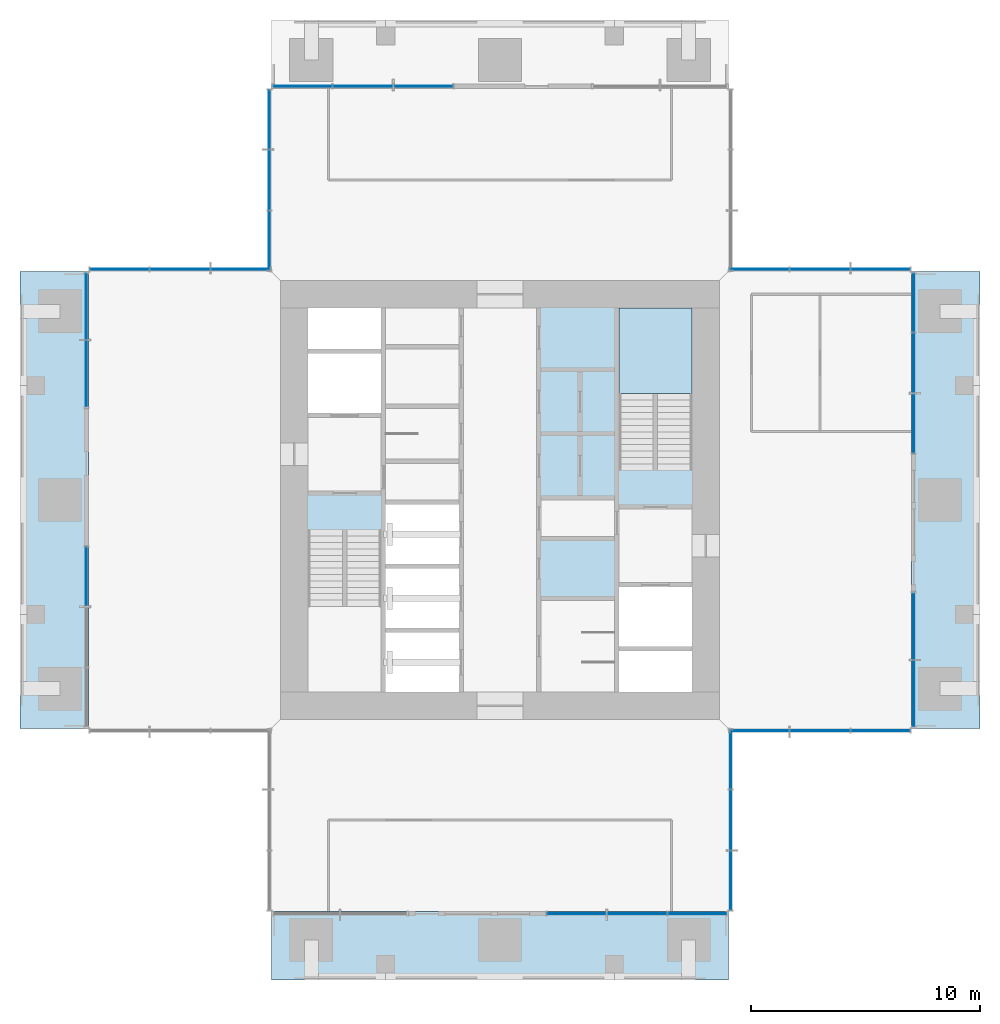
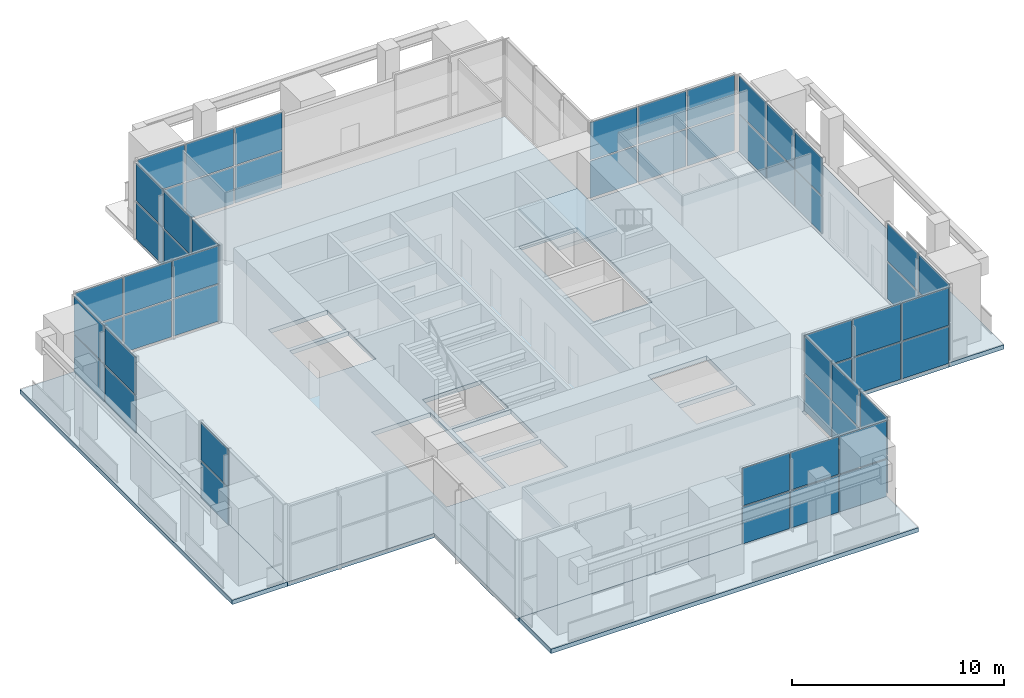
# One storey, part 6 of 11: 58 plates, 5 slabs, 12 elements without a shape of their own.
"""IFC4 building model written with IfcOpenShell, lengths in metres."""

from ifc_helpers import new_model, si_unit, direction, frame, origin, origin_2d, place, context, subcontext, project, spatial, polyline, rectangle, outline, extrude, material, layer, layer_set, type_object, element, aggregate, save


model = new_model("IFC4")

# Units and contexts
model_context = context("Model", 3, precision=1e-05, world=origin(), true_north=direction((0.0, 1.0)))
body_context = subcontext(model_context, "Body", "Model", "MODEL_VIEW")
ifc_project = project(units=[si_unit("LENGTHUNIT", "METRE"), si_unit("AREAUNIT", "SQUARE_METRE"), si_unit("VOLUMEUNIT", "CUBIC_METRE"), si_unit("PLANEANGLEUNIT", "RADIAN"), si_unit("MASSUNIT", "GRAM", prefix="KILO")], contexts=[model_context])

# Site, building, storey
site_placement = place(None, origin())
site = spatial("IfcSite", under=ifc_project, at=site_placement, CompositionType="ELEMENT")
building_placement = place(site_placement, origin())
building = spatial("IfcBuilding", under=site, at=building_placement, Name="Svetlomir Tower", CompositionType="ELEMENT")
storey_placement = place(building_placement, frame((0.0, 0.0, 273.39990234375)))
storey = spatial("IfcBuildingStorey", under=building, at=storey_placement, Name="L65", CompositionType="ELEMENT", Elevation=273.39990234375)

# Curtain wall, plates
ifc_material_1 = material(Name="Bronze anodised aluminium curtain wall", Category="aluminium")
curtain_wall_type = type_object("IfcCurtainWallType", Name="CURTAIN WALL CW4 EXECUTIVE", PredefinedType="NOTDEFINED", material=ifc_material_1)
curtain_wall_1_placement = place(storey_placement, origin())
curtain_wall_1 = element("IfcCurtainWall", 1, at=curtain_wall_1_placement, inside=storey, type_object=curtain_wall_type, Name="Curtain wall CW4 L65", PredefinedType="NOTDEFINED")
ifc_material_2 = material(Name="Tinted double glazed unit", Category="glass")
ifc_layer_1 = layer(ifc_material_2, 0.035888671875)
ifc_layer_set_1 = layer_set([ifc_layer_1], Name="Tinted double glazed unit")
plate_type = type_object("IfcPlateType", Name="CW4 GLAZED PANEL 36", PredefinedType="CURTAIN_PANEL", material=ifc_layer_set_1)
plate_1_placement = place(storey_placement, frame((24.35205078125, 2.89990234375, 0.0751953125), z_axis=(0.0, 0.0, 1.0), x_axis=(1.0, 0.0, 0.0)))
plate_1 = element("IfcPlate", 2, at=plate_1_placement, type_object=plate_type, Name="CW4 panel 1.1", PredefinedType="CURTAIN_PANEL", context=body_context, shape_type="SweptSolid", body=[
    extrude(rectangle(XDim=2.55419921875, YDim=0.035888671875, at=origin_2d()), origin(), (0.0, 0.0, 1.0), 2.11865234375),
])
plate_2_placement = place(storey_placement, frame((24.35205078125, 2.89990234375, 2.268798828125), z_axis=(0.0, 0.0, 1.0), x_axis=(1.0, 0.0, 0.0)))
plate_2 = element("IfcPlate", 3, at=plate_2_placement, type_object=plate_type, Name="CW4 panel 1.2", PredefinedType="CURTAIN_PANEL", context=body_context, shape_type="SweptSolid", body=[
    extrude(rectangle(XDim=2.55419921875, YDim=0.035888671875, at=origin_2d()), origin(), (0.0, 0.0, 1.0), 2.15625),
])
plate_3_placement = place(storey_placement, frame((27.0, 2.89990234375, 0.0751953125), z_axis=(0.0, 0.0, 1.0), x_axis=(1.0, 0.0, 0.0)))
plate_3 = element("IfcPlate", 4, at=plate_3_placement, type_object=plate_type, Name="CW4 panel 2.1", PredefinedType="CURTAIN_PANEL", context=body_context, shape_type="SweptSolid", body=[
    extrude(rectangle(XDim=2.591552734375, YDim=0.035888671875, at=origin_2d()), origin(), (0.0, 0.0, 1.0), 2.11865234375),
])
plate_4_placement = place(storey_placement, frame((27.0, 2.89990234375, 2.268798828125), z_axis=(0.0, 0.0, 1.0), x_axis=(1.0, 0.0, 0.0)))
plate_4 = element("IfcPlate", 5, at=plate_4_placement, type_object=plate_type, Name="CW4 panel 2.2", PredefinedType="CURTAIN_PANEL", context=body_context, shape_type="SweptSolid", body=[
    extrude(rectangle(XDim=2.591552734375, YDim=0.035888671875, at=origin_2d()), origin(), (0.0, 0.0, 1.0), 2.15625),
])
plate_5_placement = place(storey_placement, frame((29.64794921875, 2.89990234375, 0.0751953125), z_axis=(0.0, 0.0, 1.0), x_axis=(1.0, 0.0, 0.0)))
plate_5 = element("IfcPlate", 6, at=plate_5_placement, type_object=plate_type, Name="CW4 panel 3.1", PredefinedType="CURTAIN_PANEL", context=body_context, shape_type="SweptSolid", body=[
    extrude(rectangle(XDim=2.55419921875, YDim=0.035888671875, at=origin_2d()), origin(), (0.0, 0.0, 1.0), 2.11865234375),
])
plate_6_placement = place(storey_placement, frame((29.64794921875, 2.89990234375, 2.268798828125), z_axis=(0.0, 0.0, 1.0), x_axis=(1.0, 0.0, 0.0)))
plate_6 = element("IfcPlate", 7, at=plate_6_placement, type_object=plate_type, Name="CW4 panel 3.2", PredefinedType="CURTAIN_PANEL", context=body_context, shape_type="SweptSolid", body=[
    extrude(rectangle(XDim=2.55419921875, YDim=0.035888671875, at=origin_2d()), origin(), (0.0, 0.0, 1.0), 2.15625),
])
aggregate(curtain_wall_1, [plate_1, plate_2, plate_3, plate_4, plate_5, plate_6])

curtain_wall_2_placement = place(storey_placement, origin())
curtain_wall_2 = element("IfcCurtainWall", 8, at=curtain_wall_2_placement, inside=storey, type_object=curtain_wall_type, Name="Curtain wall CW4 L65", PredefinedType="NOTDEFINED")
plate_7_placement = place(storey_placement, frame((31.10009765625, 4.35205078125, 0.0751953125), z_axis=(0.0, 0.0, 1.0), x_axis=(0.0, 1.0, 0.0)))
plate_7 = element("IfcPlate", 9, at=plate_7_placement, type_object=plate_type, Name="CW4 panel 1.1", PredefinedType="CURTAIN_PANEL", context=body_context, shape_type="SweptSolid", body=[
    extrude(rectangle(XDim=2.55419921875, YDim=0.035888671875, at=origin_2d()), origin(), (0.0, 0.0, 1.0), 2.11865234375),
])
plate_8_placement = place(storey_placement, frame((31.10009765625, 4.35205078125, 2.268798828125), z_axis=(0.0, 0.0, 1.0), x_axis=(0.0, 1.0, 0.0)))
plate_8 = element("IfcPlate", 10, at=plate_8_placement, type_object=plate_type, Name="CW4 panel 1.2", PredefinedType="CURTAIN_PANEL", context=body_context, shape_type="SweptSolid", body=[
    extrude(rectangle(XDim=2.55419921875, YDim=0.035888671875, at=origin_2d()), origin(), (0.0, 0.0, 1.0), 2.15625),
])
plate_9_placement = place(storey_placement, frame((31.10009765625, 7.0, 0.0751953125), z_axis=(0.0, 0.0, 1.0), x_axis=(0.0, 1.0, 0.0)))
plate_9 = element("IfcPlate", 11, at=plate_9_placement, type_object=plate_type, Name="CW4 panel 2.1", PredefinedType="CURTAIN_PANEL", context=body_context, shape_type="SweptSolid", body=[
    extrude(rectangle(XDim=2.591552734375, YDim=0.035888671875, at=origin_2d()), origin(), (0.0, 0.0, 1.0), 2.11865234375),
])
plate_10_placement = place(storey_placement, frame((31.10009765625, 7.0, 2.268798828125), z_axis=(0.0, 0.0, 1.0), x_axis=(0.0, 1.0, 0.0)))
plate_10 = element("IfcPlate", 12, at=plate_10_placement, type_object=plate_type, Name="CW4 panel 2.2", PredefinedType="CURTAIN_PANEL", context=body_context, shape_type="SweptSolid", body=[
    extrude(rectangle(XDim=2.591552734375, YDim=0.035888671875, at=origin_2d()), origin(), (0.0, 0.0, 1.0), 2.15625),
])
plate_11_placement = place(storey_placement, frame((31.10009765625, 9.64794921875, 0.0751953125), z_axis=(0.0, 0.0, 1.0), x_axis=(0.0, 1.0, 0.0)))
plate_11 = element("IfcPlate", 13, at=plate_11_placement, type_object=plate_type, Name="CW4 panel 3.1", PredefinedType="CURTAIN_PANEL", context=body_context, shape_type="SweptSolid", body=[
    extrude(rectangle(XDim=2.55419921875, YDim=0.035888671875, at=origin_2d()), origin(), (0.0, 0.0, 1.0), 2.11865234375),
])
plate_12_placement = place(storey_placement, frame((31.10009765625, 9.64794921875, 2.268798828125), z_axis=(0.0, 0.0, 1.0), x_axis=(0.0, 1.0, 0.0)))
plate_12 = element("IfcPlate", 14, at=plate_12_placement, type_object=plate_type, Name="CW4 panel 3.2", PredefinedType="CURTAIN_PANEL", context=body_context, shape_type="SweptSolid", body=[
    extrude(rectangle(XDim=2.55419921875, YDim=0.035888671875, at=origin_2d()), origin(), (0.0, 0.0, 1.0), 2.15625),
])
aggregate(curtain_wall_2, [plate_7, plate_8, plate_9, plate_10, plate_11, plate_12])

curtain_wall_3_placement = place(storey_placement, origin())
curtain_wall_3 = element("IfcCurtainWall", 15, at=curtain_wall_3_placement, inside=storey, type_object=curtain_wall_type, Name="Curtain wall CW4 L65", PredefinedType="NOTDEFINED")
plate_13_placement = place(storey_placement, frame((32.35205078125, 10.89990234375, 0.0751953125), z_axis=(0.0, 0.0, 1.0), x_axis=(1.0, 0.0, 0.0)))
plate_13 = element("IfcPlate", 16, at=plate_13_placement, type_object=plate_type, Name="CW4 panel 1.1", PredefinedType="CURTAIN_PANEL", context=body_context, shape_type="SweptSolid", body=[
    extrude(rectangle(XDim=2.55419921875, YDim=0.035888671875, at=origin_2d()), origin(), (0.0, 0.0, 1.0), 2.11865234375),
])
plate_14_placement = place(storey_placement, frame((32.35205078125, 10.89990234375, 2.268798828125), z_axis=(0.0, 0.0, 1.0), x_axis=(1.0, 0.0, 0.0)))
plate_14 = element("IfcPlate", 17, at=plate_14_placement, type_object=plate_type, Name="CW4 panel 1.2", PredefinedType="CURTAIN_PANEL", context=body_context, shape_type="SweptSolid", body=[
    extrude(rectangle(XDim=2.55419921875, YDim=0.035888671875, at=origin_2d()), origin(), (0.0, 0.0, 1.0), 2.15625),
])
plate_15_placement = place(storey_placement, frame((35.0, 10.89990234375, 0.0751953125), z_axis=(0.0, 0.0, 1.0), x_axis=(1.0, 0.0, 0.0)))
plate_15 = element("IfcPlate", 18, at=plate_15_placement, type_object=plate_type, Name="CW4 panel 2.1", PredefinedType="CURTAIN_PANEL", context=body_context, shape_type="SweptSolid", body=[
    extrude(rectangle(XDim=2.591552734375, YDim=0.035888671875, at=origin_2d()), origin(), (0.0, 0.0, 1.0), 2.11865234375),
])
plate_16_placement = place(storey_placement, frame((35.0, 10.89990234375, 2.268798828125), z_axis=(0.0, 0.0, 1.0), x_axis=(1.0, 0.0, 0.0)))
plate_16 = element("IfcPlate", 19, at=plate_16_placement, type_object=plate_type, Name="CW4 panel 2.2", PredefinedType="CURTAIN_PANEL", context=body_context, shape_type="SweptSolid", body=[
    extrude(rectangle(XDim=2.591552734375, YDim=0.035888671875, at=origin_2d()), origin(), (0.0, 0.0, 1.0), 2.15625),
])
plate_17_placement = place(storey_placement, frame((37.64794921875, 10.89990234375, 0.0751953125), z_axis=(0.0, 0.0, 1.0), x_axis=(1.0, 0.0, 0.0)))
plate_17 = element("IfcPlate", 20, at=plate_17_placement, type_object=plate_type, Name="CW4 panel 3.1", PredefinedType="CURTAIN_PANEL", context=body_context, shape_type="SweptSolid", body=[
    extrude(rectangle(XDim=2.55419921875, YDim=0.035888671875, at=origin_2d()), origin(), (0.0, 0.0, 1.0), 2.11865234375),
])
plate_18_placement = place(storey_placement, frame((37.64794921875, 10.89990234375, 2.268798828125), z_axis=(0.0, 0.0, 1.0), x_axis=(1.0, 0.0, 0.0)))
plate_18 = element("IfcPlate", 21, at=plate_18_placement, type_object=plate_type, Name="CW4 panel 3.2", PredefinedType="CURTAIN_PANEL", context=body_context, shape_type="SweptSolid", body=[
    extrude(rectangle(XDim=2.55419921875, YDim=0.035888671875, at=origin_2d()), origin(), (0.0, 0.0, 1.0), 2.15625),
])
aggregate(curtain_wall_3, [plate_13, plate_14, plate_15, plate_16, plate_17, plate_18])

curtain_wall_4_placement = place(storey_placement, origin())
curtain_wall_4 = element("IfcCurtainWall", 22, at=curtain_wall_4_placement, inside=storey, type_object=curtain_wall_type, Name="Curtain wall CW4 L65", PredefinedType="NOTDEFINED")
plate_19_placement = place(storey_placement, frame((39.10009765625, 12.518798828125, 0.0751953125), z_axis=(0.0, 0.0, 1.0), x_axis=(0.0, 1.0, 0.0)))
plate_19 = element("IfcPlate", 23, at=plate_19_placement, type_object=plate_type, Name="CW4 panel 1.1", PredefinedType="CURTAIN_PANEL", context=body_context, shape_type="SweptSolid", body=[
    extrude(rectangle(XDim=2.887451171875, YDim=0.035888671875, at=origin_2d()), origin(), (0.0, 0.0, 1.0), 2.11865234375),
])
plate_20_placement = place(storey_placement, frame((39.10009765625, 12.518798828125, 2.268798828125), z_axis=(0.0, 0.0, 1.0), x_axis=(0.0, 1.0, 0.0)))
plate_20 = element("IfcPlate", 24, at=plate_20_placement, type_object=plate_type, Name="CW4 panel 1.2", PredefinedType="CURTAIN_PANEL", context=body_context, shape_type="SweptSolid", body=[
    extrude(rectangle(XDim=2.887451171875, YDim=0.035888671875, at=origin_2d()), origin(), (0.0, 0.0, 1.0), 2.15625),
])
plate_21_placement = place(storey_placement, frame((39.10009765625, 15.481201171875, 0.0751953125), z_axis=(0.0, 0.0, 1.0), x_axis=(0.0, 1.0, 0.0)))
plate_21 = element("IfcPlate", 25, at=plate_21_placement, type_object=plate_type, Name="CW4 panel 2.1", PredefinedType="CURTAIN_PANEL", context=body_context, shape_type="SweptSolid", body=[
    extrude(rectangle(XDim=2.887451171875, YDim=0.035888671875, at=origin_2d()), origin(), (0.0, 0.0, 1.0), 2.11865234375),
])
plate_22_placement = place(storey_placement, frame((39.10009765625, 15.481201171875, 2.268798828125), z_axis=(0.0, 0.0, 1.0), x_axis=(0.0, 1.0, 0.0)))
plate_22 = element("IfcPlate", 26, at=plate_22_placement, type_object=plate_type, Name="CW4 panel 2.2", PredefinedType="CURTAIN_PANEL", context=body_context, shape_type="SweptSolid", body=[
    extrude(rectangle(XDim=2.887451171875, YDim=0.035888671875, at=origin_2d()), origin(), (0.0, 0.0, 1.0), 2.15625),
])
aggregate(curtain_wall_4, [plate_19, plate_20, plate_21, plate_22])

curtain_wall_5_placement = place(storey_placement, origin())
curtain_wall_5 = element("IfcCurtainWall", 27, at=curtain_wall_5_placement, inside=storey, type_object=curtain_wall_type, Name="Curtain wall CW4 L65", PredefinedType="NOTDEFINED")
plate_23_placement = place(storey_placement, frame((39.10009765625, 24.35205078125, 0.0751953125), z_axis=(0.0, 0.0, 1.0), x_axis=(0.0, 1.0, 0.0)))
plate_23 = element("IfcPlate", 28, at=plate_23_placement, type_object=plate_type, Name="CW4 panel 1.1", PredefinedType="CURTAIN_PANEL", context=body_context, shape_type="SweptSolid", body=[
    extrude(rectangle(XDim=2.55419921875, YDim=0.035888671875, at=origin_2d()), origin(), (0.0, 0.0, 1.0), 2.11865234375),
])
plate_24_placement = place(storey_placement, frame((39.10009765625, 24.35205078125, 2.268798828125), z_axis=(0.0, 0.0, 1.0), x_axis=(0.0, 1.0, 0.0)))
plate_24 = element("IfcPlate", 29, at=plate_24_placement, type_object=plate_type, Name="CW4 panel 1.2", PredefinedType="CURTAIN_PANEL", context=body_context, shape_type="SweptSolid", body=[
    extrude(rectangle(XDim=2.55419921875, YDim=0.035888671875, at=origin_2d()), origin(), (0.0, 0.0, 1.0), 2.15625),
])
plate_25_placement = place(storey_placement, frame((39.10009765625, 27.0, 0.0751953125), z_axis=(0.0, 0.0, 1.0), x_axis=(0.0, 1.0, 0.0)))
plate_25 = element("IfcPlate", 30, at=plate_25_placement, type_object=plate_type, Name="CW4 panel 2.1", PredefinedType="CURTAIN_PANEL", context=body_context, shape_type="SweptSolid", body=[
    extrude(rectangle(XDim=2.591552734375, YDim=0.035888671875, at=origin_2d()), origin(), (0.0, 0.0, 1.0), 2.11865234375),
])
plate_26_placement = place(storey_placement, frame((39.10009765625, 27.0, 2.268798828125), z_axis=(0.0, 0.0, 1.0), x_axis=(0.0, 1.0, 0.0)))
plate_26 = element("IfcPlate", 31, at=plate_26_placement, type_object=plate_type, Name="CW4 panel 2.2", PredefinedType="CURTAIN_PANEL", context=body_context, shape_type="SweptSolid", body=[
    extrude(rectangle(XDim=2.591552734375, YDim=0.035888671875, at=origin_2d()), origin(), (0.0, 0.0, 1.0), 2.15625),
])
plate_27_placement = place(storey_placement, frame((39.10009765625, 29.64794921875, 0.0751953125), z_axis=(0.0, 0.0, 1.0), x_axis=(0.0, 1.0, 0.0)))
plate_27 = element("IfcPlate", 32, at=plate_27_placement, type_object=plate_type, Name="CW4 panel 3.1", PredefinedType="CURTAIN_PANEL", context=body_context, shape_type="SweptSolid", body=[
    extrude(rectangle(XDim=2.55419921875, YDim=0.035888671875, at=origin_2d()), origin(), (0.0, 0.0, 1.0), 2.11865234375),
])
plate_28_placement = place(storey_placement, frame((39.10009765625, 29.64794921875, 2.268798828125), z_axis=(0.0, 0.0, 1.0), x_axis=(0.0, 1.0, 0.0)))
plate_28 = element("IfcPlate", 33, at=plate_28_placement, type_object=plate_type, Name="CW4 panel 3.2", PredefinedType="CURTAIN_PANEL", context=body_context, shape_type="SweptSolid", body=[
    extrude(rectangle(XDim=2.55419921875, YDim=0.035888671875, at=origin_2d()), origin(), (0.0, 0.0, 1.0), 2.15625),
])
aggregate(curtain_wall_5, [plate_23, plate_24, plate_25, plate_26, plate_27, plate_28])

curtain_wall_6_placement = place(storey_placement, origin())
curtain_wall_6 = element("IfcCurtainWall", 34, at=curtain_wall_6_placement, inside=storey, type_object=curtain_wall_type, Name="Curtain wall CW4 L65", PredefinedType="NOTDEFINED")
plate_29_placement = place(storey_placement, frame((37.64794921875, 31.10009765625, 0.0751953125), z_axis=(0.0, 0.0, 1.0), x_axis=(-1.0, 0.0, 0.0)))
plate_29 = element("IfcPlate", 35, at=plate_29_placement, type_object=plate_type, Name="CW4 panel 1.1", PredefinedType="CURTAIN_PANEL", context=body_context, shape_type="SweptSolid", body=[
    extrude(rectangle(XDim=2.55419921875, YDim=0.035888671875, at=origin_2d()), origin(), (0.0, 0.0, 1.0), 2.11865234375),
])
plate_30_placement = place(storey_placement, frame((37.64794921875, 31.10009765625, 2.268798828125), z_axis=(0.0, 0.0, 1.0), x_axis=(-1.0, 0.0, 0.0)))
plate_30 = element("IfcPlate", 36, at=plate_30_placement, type_object=plate_type, Name="CW4 panel 1.2", PredefinedType="CURTAIN_PANEL", context=body_context, shape_type="SweptSolid", body=[
    extrude(rectangle(XDim=2.55419921875, YDim=0.035888671875, at=origin_2d()), origin(), (0.0, 0.0, 1.0), 2.15625),
])
plate_31_placement = place(storey_placement, frame((35.0, 31.10009765625, 0.0751953125), z_axis=(0.0, 0.0, 1.0), x_axis=(-1.0, 0.0, 0.0)))
plate_31 = element("IfcPlate", 37, at=plate_31_placement, type_object=plate_type, Name="CW4 panel 2.1", PredefinedType="CURTAIN_PANEL", context=body_context, shape_type="SweptSolid", body=[
    extrude(rectangle(XDim=2.591552734375, YDim=0.035888671875, at=origin_2d()), origin(), (0.0, 0.0, 1.0), 2.11865234375),
])
plate_32_placement = place(storey_placement, frame((35.0, 31.10009765625, 2.268798828125), z_axis=(0.0, 0.0, 1.0), x_axis=(-1.0, 0.0, 0.0)))
plate_32 = element("IfcPlate", 38, at=plate_32_placement, type_object=plate_type, Name="CW4 panel 2.2", PredefinedType="CURTAIN_PANEL", context=body_context, shape_type="SweptSolid", body=[
    extrude(rectangle(XDim=2.591552734375, YDim=0.035888671875, at=origin_2d()), origin(), (0.0, 0.0, 1.0), 2.15625),
])
plate_33_placement = place(storey_placement, frame((32.35205078125, 31.10009765625, 0.0751953125), z_axis=(0.0, 0.0, 1.0), x_axis=(-1.0, 0.0, 0.0)))
plate_33 = element("IfcPlate", 39, at=plate_33_placement, type_object=plate_type, Name="CW4 panel 3.1", PredefinedType="CURTAIN_PANEL", context=body_context, shape_type="SweptSolid", body=[
    extrude(rectangle(XDim=2.55419921875, YDim=0.035888671875, at=origin_2d()), origin(), (0.0, 0.0, 1.0), 2.11865234375),
])
plate_34_placement = place(storey_placement, frame((32.35205078125, 31.10009765625, 2.268798828125), z_axis=(0.0, 0.0, 1.0), x_axis=(-1.0, 0.0, 0.0)))
plate_34 = element("IfcPlate", 40, at=plate_34_placement, type_object=plate_type, Name="CW4 panel 3.2", PredefinedType="CURTAIN_PANEL", context=body_context, shape_type="SweptSolid", body=[
    extrude(rectangle(XDim=2.55419921875, YDim=0.035888671875, at=origin_2d()), origin(), (0.0, 0.0, 1.0), 2.15625),
])
aggregate(curtain_wall_6, [plate_29, plate_30, plate_31, plate_32, plate_33, plate_34])

curtain_wall_7_placement = place(storey_placement, origin())
curtain_wall_7 = element("IfcCurtainWall", 41, at=curtain_wall_7_placement, inside=storey, type_object=curtain_wall_type, Name="Curtain wall CW4 L65", PredefinedType="NOTDEFINED")
plate_35_placement = place(storey_placement, frame((17.64794921875, 39.10009765625, 0.0751953125), z_axis=(0.0, 0.0, 1.0), x_axis=(-1.0, 0.0, 0.0)))
plate_35 = element("IfcPlate", 42, at=plate_35_placement, type_object=plate_type, Name="CW4 panel 1.1", PredefinedType="CURTAIN_PANEL", context=body_context, shape_type="SweptSolid", body=[
    extrude(rectangle(XDim=2.55419921875, YDim=0.035888671875, at=origin_2d()), origin(), (0.0, 0.0, 1.0), 2.11865234375),
])
plate_36_placement = place(storey_placement, frame((17.64794921875, 39.10009765625, 2.268798828125), z_axis=(0.0, 0.0, 1.0), x_axis=(-1.0, 0.0, 0.0)))
plate_36 = element("IfcPlate", 43, at=plate_36_placement, type_object=plate_type, Name="CW4 panel 1.2", PredefinedType="CURTAIN_PANEL", context=body_context, shape_type="SweptSolid", body=[
    extrude(rectangle(XDim=2.55419921875, YDim=0.035888671875, at=origin_2d()), origin(), (0.0, 0.0, 1.0), 2.15625),
])
plate_37_placement = place(storey_placement, frame((15.0, 39.10009765625, 0.0751953125), z_axis=(0.0, 0.0, 1.0), x_axis=(-1.0, 0.0, 0.0)))
plate_37 = element("IfcPlate", 44, at=plate_37_placement, type_object=plate_type, Name="CW4 panel 2.1", PredefinedType="CURTAIN_PANEL", context=body_context, shape_type="SweptSolid", body=[
    extrude(rectangle(XDim=2.591552734375, YDim=0.035888671875, at=origin_2d()), origin(), (0.0, 0.0, 1.0), 2.11865234375),
])
plate_38_placement = place(storey_placement, frame((15.0, 39.10009765625, 2.268798828125), z_axis=(0.0, 0.0, 1.0), x_axis=(-1.0, 0.0, 0.0)))
plate_38 = element("IfcPlate", 45, at=plate_38_placement, type_object=plate_type, Name="CW4 panel 2.2", PredefinedType="CURTAIN_PANEL", context=body_context, shape_type="SweptSolid", body=[
    extrude(rectangle(XDim=2.591552734375, YDim=0.035888671875, at=origin_2d()), origin(), (0.0, 0.0, 1.0), 2.15625),
])
plate_39_placement = place(storey_placement, frame((12.35205078125, 39.10009765625, 0.0751953125), z_axis=(0.0, 0.0, 1.0), x_axis=(-1.0, 0.0, 0.0)))
plate_39 = element("IfcPlate", 46, at=plate_39_placement, type_object=plate_type, Name="CW4 panel 3.1", PredefinedType="CURTAIN_PANEL", context=body_context, shape_type="SweptSolid", body=[
    extrude(rectangle(XDim=2.55419921875, YDim=0.035888671875, at=origin_2d()), origin(), (0.0, 0.0, 1.0), 2.11865234375),
])
plate_40_placement = place(storey_placement, frame((12.35205078125, 39.10009765625, 2.268798828125), z_axis=(0.0, 0.0, 1.0), x_axis=(-1.0, 0.0, 0.0)))
plate_40 = element("IfcPlate", 47, at=plate_40_placement, type_object=plate_type, Name="CW4 panel 3.2", PredefinedType="CURTAIN_PANEL", context=body_context, shape_type="SweptSolid", body=[
    extrude(rectangle(XDim=2.55419921875, YDim=0.035888671875, at=origin_2d()), origin(), (0.0, 0.0, 1.0), 2.15625),
])
aggregate(curtain_wall_7, [plate_35, plate_36, plate_37, plate_38, plate_39, plate_40])

curtain_wall_8_placement = place(storey_placement, origin())
curtain_wall_8 = element("IfcCurtainWall", 48, at=curtain_wall_8_placement, inside=storey, type_object=curtain_wall_type, Name="Curtain wall CW4 L65", PredefinedType="NOTDEFINED")
plate_41_placement = place(storey_placement, frame((10.89990234375, 37.64794921875, 0.0751953125), z_axis=(0.0, 0.0, 1.0), x_axis=(0.0, -1.0, 0.0)))
plate_41 = element("IfcPlate", 49, at=plate_41_placement, type_object=plate_type, Name="CW4 panel 1.1", PredefinedType="CURTAIN_PANEL", context=body_context, shape_type="SweptSolid", body=[
    extrude(rectangle(XDim=2.55419921875, YDim=0.035888671875, at=origin_2d()), origin(), (0.0, 0.0, 1.0), 2.11865234375),
])
plate_42_placement = place(storey_placement, frame((10.89990234375, 37.64794921875, 2.268798828125), z_axis=(0.0, 0.0, 1.0), x_axis=(0.0, -1.0, 0.0)))
plate_42 = element("IfcPlate", 50, at=plate_42_placement, type_object=plate_type, Name="CW4 panel 1.2", PredefinedType="CURTAIN_PANEL", context=body_context, shape_type="SweptSolid", body=[
    extrude(rectangle(XDim=2.55419921875, YDim=0.035888671875, at=origin_2d()), origin(), (0.0, 0.0, 1.0), 2.15625),
])
plate_43_placement = place(storey_placement, frame((10.89990234375, 35.0, 0.0751953125), z_axis=(0.0, 0.0, 1.0), x_axis=(0.0, -1.0, 0.0)))
plate_43 = element("IfcPlate", 51, at=plate_43_placement, type_object=plate_type, Name="CW4 panel 2.1", PredefinedType="CURTAIN_PANEL", context=body_context, shape_type="SweptSolid", body=[
    extrude(rectangle(XDim=2.591552734375, YDim=0.035888671875, at=origin_2d()), origin(), (0.0, 0.0, 1.0), 2.11865234375),
])
plate_44_placement = place(storey_placement, frame((10.89990234375, 35.0, 2.268798828125), z_axis=(0.0, 0.0, 1.0), x_axis=(0.0, -1.0, 0.0)))
plate_44 = element("IfcPlate", 52, at=plate_44_placement, type_object=plate_type, Name="CW4 panel 2.2", PredefinedType="CURTAIN_PANEL", context=body_context, shape_type="SweptSolid", body=[
    extrude(rectangle(XDim=2.591552734375, YDim=0.035888671875, at=origin_2d()), origin(), (0.0, 0.0, 1.0), 2.15625),
])
plate_45_placement = place(storey_placement, frame((10.89990234375, 32.35205078125, 0.0751953125), z_axis=(0.0, 0.0, 1.0), x_axis=(0.0, -1.0, 0.0)))
plate_45 = element("IfcPlate", 53, at=plate_45_placement, type_object=plate_type, Name="CW4 panel 3.1", PredefinedType="CURTAIN_PANEL", context=body_context, shape_type="SweptSolid", body=[
    extrude(rectangle(XDim=2.55419921875, YDim=0.035888671875, at=origin_2d()), origin(), (0.0, 0.0, 1.0), 2.11865234375),
])
plate_46_placement = place(storey_placement, frame((10.89990234375, 32.35205078125, 2.268798828125), z_axis=(0.0, 0.0, 1.0), x_axis=(0.0, -1.0, 0.0)))
plate_46 = element("IfcPlate", 54, at=plate_46_placement, type_object=plate_type, Name="CW4 panel 3.2", PredefinedType="CURTAIN_PANEL", context=body_context, shape_type="SweptSolid", body=[
    extrude(rectangle(XDim=2.55419921875, YDim=0.035888671875, at=origin_2d()), origin(), (0.0, 0.0, 1.0), 2.15625),
])
aggregate(curtain_wall_8, [plate_41, plate_42, plate_43, plate_44, plate_45, plate_46])

curtain_wall_9_placement = place(storey_placement, origin())
curtain_wall_9 = element("IfcCurtainWall", 55, at=curtain_wall_9_placement, inside=storey, type_object=curtain_wall_type, Name="Curtain wall CW4 L65", PredefinedType="NOTDEFINED")
plate_47_placement = place(storey_placement, frame((9.64794921875, 31.10009765625, 0.0751953125), z_axis=(0.0, 0.0, 1.0), x_axis=(-1.0, 0.0, 0.0)))
plate_47 = element("IfcPlate", 56, at=plate_47_placement, type_object=plate_type, Name="CW4 panel 1.1", PredefinedType="CURTAIN_PANEL", context=body_context, shape_type="SweptSolid", body=[
    extrude(rectangle(XDim=2.55419921875, YDim=0.035888671875, at=origin_2d()), origin(), (0.0, 0.0, 1.0), 2.11865234375),
])
plate_48_placement = place(storey_placement, frame((9.64794921875, 31.10009765625, 2.268798828125), z_axis=(0.0, 0.0, 1.0), x_axis=(-1.0, 0.0, 0.0)))
plate_48 = element("IfcPlate", 57, at=plate_48_placement, type_object=plate_type, Name="CW4 panel 1.2", PredefinedType="CURTAIN_PANEL", context=body_context, shape_type="SweptSolid", body=[
    extrude(rectangle(XDim=2.55419921875, YDim=0.035888671875, at=origin_2d()), origin(), (0.0, 0.0, 1.0), 2.15625),
])
plate_49_placement = place(storey_placement, frame((7.0, 31.10009765625, 0.0751953125), z_axis=(0.0, 0.0, 1.0), x_axis=(-1.0, 0.0, 0.0)))
plate_49 = element("IfcPlate", 58, at=plate_49_placement, type_object=plate_type, Name="CW4 panel 2.1", PredefinedType="CURTAIN_PANEL", context=body_context, shape_type="SweptSolid", body=[
    extrude(rectangle(XDim=2.591552734375, YDim=0.035888671875, at=origin_2d()), origin(), (0.0, 0.0, 1.0), 2.11865234375),
])
plate_50_placement = place(storey_placement, frame((7.0, 31.10009765625, 2.268798828125), z_axis=(0.0, 0.0, 1.0), x_axis=(-1.0, 0.0, 0.0)))
plate_50 = element("IfcPlate", 59, at=plate_50_placement, type_object=plate_type, Name="CW4 panel 2.2", PredefinedType="CURTAIN_PANEL", context=body_context, shape_type="SweptSolid", body=[
    extrude(rectangle(XDim=2.591552734375, YDim=0.035888671875, at=origin_2d()), origin(), (0.0, 0.0, 1.0), 2.15625),
])
plate_51_placement = place(storey_placement, frame((4.35205078125, 31.10009765625, 0.0751953125), z_axis=(0.0, 0.0, 1.0), x_axis=(-1.0, 0.0, 0.0)))
plate_51 = element("IfcPlate", 60, at=plate_51_placement, type_object=plate_type, Name="CW4 panel 3.1", PredefinedType="CURTAIN_PANEL", context=body_context, shape_type="SweptSolid", body=[
    extrude(rectangle(XDim=2.55419921875, YDim=0.035888671875, at=origin_2d()), origin(), (0.0, 0.0, 1.0), 2.11865234375),
])
plate_52_placement = place(storey_placement, frame((4.35205078125, 31.10009765625, 2.268798828125), z_axis=(0.0, 0.0, 1.0), x_axis=(-1.0, 0.0, 0.0)))
plate_52 = element("IfcPlate", 61, at=plate_52_placement, type_object=plate_type, Name="CW4 panel 3.2", PredefinedType="CURTAIN_PANEL", context=body_context, shape_type="SweptSolid", body=[
    extrude(rectangle(XDim=2.55419921875, YDim=0.035888671875, at=origin_2d()), origin(), (0.0, 0.0, 1.0), 2.15625),
])
aggregate(curtain_wall_9, [plate_47, plate_48, plate_49, plate_50, plate_51, plate_52])

curtain_wall_10_placement = place(storey_placement, origin())
curtain_wall_10 = element("IfcCurtainWall", 62, at=curtain_wall_10_placement, inside=storey, type_object=curtain_wall_type, Name="Curtain wall CW4 L65", PredefinedType="NOTDEFINED")
plate_53_placement = place(storey_placement, frame((2.89990234375, 29.481201171875, 0.0751953125), z_axis=(0.0, 0.0, 1.0), x_axis=(0.0, -1.0, 0.0)))
plate_53 = element("IfcPlate", 63, at=plate_53_placement, type_object=plate_type, Name="CW4 panel 1.1", PredefinedType="CURTAIN_PANEL", context=body_context, shape_type="SweptSolid", body=[
    extrude(rectangle(XDim=2.887451171875, YDim=0.035888671875, at=origin_2d()), origin(), (0.0, 0.0, 1.0), 2.11865234375),
])
plate_54_placement = place(storey_placement, frame((2.89990234375, 29.481201171875, 2.268798828125), z_axis=(0.0, 0.0, 1.0), x_axis=(0.0, -1.0, 0.0)))
plate_54 = element("IfcPlate", 64, at=plate_54_placement, type_object=plate_type, Name="CW4 panel 1.2", PredefinedType="CURTAIN_PANEL", context=body_context, shape_type="SweptSolid", body=[
    extrude(rectangle(XDim=2.887451171875, YDim=0.035888671875, at=origin_2d()), origin(), (0.0, 0.0, 1.0), 2.15625),
])
plate_55_placement = place(storey_placement, frame((2.89990234375, 26.518798828125, 0.0751953125), z_axis=(0.0, 0.0, 1.0), x_axis=(0.0, -1.0, 0.0)))
plate_55 = element("IfcPlate", 65, at=plate_55_placement, type_object=plate_type, Name="CW4 panel 2.1", PredefinedType="CURTAIN_PANEL", context=body_context, shape_type="SweptSolid", body=[
    extrude(rectangle(XDim=2.887451171875, YDim=0.035888671875, at=origin_2d()), origin(), (0.0, 0.0, 1.0), 2.11865234375),
])
plate_56_placement = place(storey_placement, frame((2.89990234375, 26.518798828125, 2.268798828125), z_axis=(0.0, 0.0, 1.0), x_axis=(0.0, -1.0, 0.0)))
plate_56 = element("IfcPlate", 66, at=plate_56_placement, type_object=plate_type, Name="CW4 panel 2.2", PredefinedType="CURTAIN_PANEL", context=body_context, shape_type="SweptSolid", body=[
    extrude(rectangle(XDim=2.887451171875, YDim=0.035888671875, at=origin_2d()), origin(), (0.0, 0.0, 1.0), 2.15625),
])
aggregate(curtain_wall_10, [plate_53, plate_54, plate_55, plate_56])

curtain_wall_11_placement = place(storey_placement, origin())
curtain_wall_11 = element("IfcCurtainWall", 67, at=curtain_wall_11_placement, inside=storey, type_object=curtain_wall_type, Name="Curtain wall CW4 L65", PredefinedType="NOTDEFINED")
plate_57_placement = place(storey_placement, frame((2.89990234375, 17.64794921875, 0.0751953125), z_axis=(0.0, 0.0, 1.0), x_axis=(0.0, -1.0, 0.0)))
plate_57 = element("IfcPlate", 68, at=plate_57_placement, type_object=plate_type, Name="CW4 panel 1.1", PredefinedType="CURTAIN_PANEL", context=body_context, shape_type="SweptSolid", body=[
    extrude(rectangle(XDim=2.55419921875, YDim=0.035888671875, at=origin_2d()), origin(), (0.0, 0.0, 1.0), 2.11865234375),
])
plate_58_placement = place(storey_placement, frame((2.89990234375, 17.64794921875, 2.268798828125), z_axis=(0.0, 0.0, 1.0), x_axis=(0.0, -1.0, 0.0)))
plate_58 = element("IfcPlate", 69, at=plate_58_placement, type_object=plate_type, Name="CW4 panel 1.2", PredefinedType="CURTAIN_PANEL", context=body_context, shape_type="SweptSolid", body=[
    extrude(rectangle(XDim=2.55419921875, YDim=0.035888671875, at=origin_2d()), origin(), (0.0, 0.0, 1.0), 2.15625),
])
aggregate(curtain_wall_11, [plate_57, plate_58])

# Slabs
ifc_material_3 = material(Name="Concrete C60/75", Category="concrete")
ifc_layer_2 = layer(ifc_material_3, 0.25)
ifc_layer_set_2 = layer_set([ifc_layer_2], Name="Concrete C60/75")
slab_type_1 = type_object("IfcSlabType", Name="FLOOR SLAB 250", PredefinedType="FLOOR", material=ifc_layer_set_2)
slab_1_placement = place(storey_placement, frame((0.0, 0.0, -0.25)))
element("IfcSlab", 70, at=slab_1_placement, inside=storey, type_object=slab_type_1, Name="L65 floor slab", PredefinedType="FLOOR", context=body_context, shape_type="SweptSolid", body=[
    extrude(outline(polyline([(11.0, 3.0), (31.0, 3.0), (31.0, 11.0), (39.0, 11.0), (39.0, 31.0), (31.0, 31.0), (31.0, 39.0), (11.0, 39.0), (11.0, 31.0), (3.0, 31.0), (3.0, 11.0), (11.0, 11.0), (11.0, 3.0)]), holes=[polyline([(12.60009765625, 24.800048828125), (15.800048828125, 24.800048828125), (15.800048828125, 27.39990234375), (12.60009765625, 27.39990234375), (12.60009765625, 24.800048828125)]), polyline([(26.199951171875, 14.60009765625), (29.39990234375, 14.60009765625), (29.39990234375, 17.199951171875), (26.199951171875, 17.199951171875), (26.199951171875, 14.60009765625)]), polyline([(16.0, 12.60009765625), (19.199951171875, 12.60009765625), (19.199951171875, 15.199951171875), (16.0, 15.199951171875), (16.0, 12.60009765625)]), polyline([(16.0, 15.39990234375), (19.199951171875, 15.39990234375), (19.199951171875, 18.0), (16.0, 18.0), (16.0, 15.39990234375)]), polyline([(16.0, 18.199951171875), (19.199951171875, 18.199951171875), (19.199951171875, 20.800048828125), (16.0, 20.800048828125), (16.0, 18.199951171875)]), polyline([(12.60009765625, 27.60009765625), (15.800048828125, 27.60009765625), (15.800048828125, 29.39990234375), (12.60009765625, 29.39990234375), (12.60009765625, 27.60009765625)]), polyline([(26.199951171875, 12.60009765625), (29.39990234375, 12.60009765625), (29.39990234375, 14.39990234375), (26.199951171875, 14.39990234375), (26.199951171875, 12.60009765625)]), polyline([(12.60009765625, 12.60009765625), (15.800048828125, 12.60009765625), (15.800048828125, 19.679931640625), (12.60009765625, 19.679931640625), (12.60009765625, 12.60009765625)]), polyline([(26.199951171875, 22.320068359375), (29.39990234375, 22.320068359375), (29.39990234375, 29.39990234375), (26.199951171875, 29.39990234375), (26.199951171875, 22.320068359375)])]), origin(), (0.0, 0.0, 1.0), 0.25),
])
ifc_material_4 = material(Name="Concrete C60/75", Category="concrete")
ifc_layer_3 = layer(ifc_material_4, 0.25)
ifc_layer_set_3 = layer_set([ifc_layer_3], Name="Concrete C60/75")
slab_type_2 = type_object("IfcSlabType", Name="PLANTED LOGGIA SLAB 250", PredefinedType="FLOOR", material=ifc_layer_set_3)
slab_2_placement = place(storey_placement, frame((0.0, 0.0, -0.25)))
element("IfcSlab", 71, at=slab_2_placement, inside=storey, type_object=slab_type_2, Name="L65 S planted loggia", PredefinedType="FLOOR", context=body_context, shape_type="SweptSolid", body=[
    extrude(outline(polyline([(11.0, 0.0), (31.0, 0.0), (31.0, 3.0), (11.0, 3.0), (11.0, 0.0)])), origin(), (0.0, 0.0, 1.0), 0.25),
])
slab_3_placement = place(storey_placement, frame((0.0, 0.0, -0.25)))
element("IfcSlab", 72, at=slab_3_placement, inside=storey, type_object=slab_type_2, Name="L65 E planted loggia", PredefinedType="FLOOR", context=body_context, shape_type="SweptSolid", body=[
    extrude(outline(polyline([(39.0, 11.0), (42.0, 11.0), (42.0, 31.0), (39.0, 31.0), (39.0, 11.0)])), origin(), (0.0, 0.0, 1.0), 0.25),
])
slab_4_placement = place(storey_placement, frame((0.0, 0.0, -0.25)))
element("IfcSlab", 73, at=slab_4_placement, inside=storey, type_object=slab_type_2, Name="L65 W planted loggia", PredefinedType="FLOOR", context=body_context, shape_type="SweptSolid", body=[
    extrude(outline(polyline([(0.0, 11.0), (3.0, 11.0), (3.0, 31.0), (0.0, 31.0), (0.0, 11.0)])), origin(), (0.0, 0.0, 1.0), 0.25),
])

# Stair, slab
ifc_material_5 = material(Name="Concrete C60/75", Category="concrete")
stair_type = type_object("IfcStairType", Name="EXIT STAIR 3200 RISE 4500", PredefinedType="HALF_TURN_STAIR", material=ifc_material_5)
stair_placement = place(storey_placement, origin())
stair = element("IfcStair", 74, at=stair_placement, inside=storey, type_object=stair_type, Name="Stair S2 L65 to L66", PredefinedType="HALF_TURN_STAIR")
ifc_material_6 = material(Name="Concrete C60/75", Category="concrete")
ifc_layer_4 = layer(ifc_material_6, 0.199951171875)
ifc_layer_set_4 = layer_set([ifc_layer_4], Name="Concrete C60/75")
slab_type_3 = type_object("IfcSlabType", Name="STAIR LANDING 200", PredefinedType="LANDING", material=ifc_layer_set_4)
slab_5_placement = place(storey_placement, frame((0.0, 0.0, 2.050048828125)))
slab_5 = element("IfcSlab", 75, at=slab_5_placement, type_object=slab_type_3, Name="S2 landing 1", PredefinedType="LANDING", context=body_context, shape_type="SweptSolid", body=[
    extrude(outline(polyline([(26.199951171875, 25.659912109375), (29.39990234375, 25.659912109375), (29.39990234375, 29.39990234375), (26.199951171875, 29.39990234375), (26.199951171875, 25.659912109375)])), origin(), (0.0, 0.0, 1.0), 0.199951171875),
])
aggregate(stair, [slab_5])

save(model, "model.ifc")
